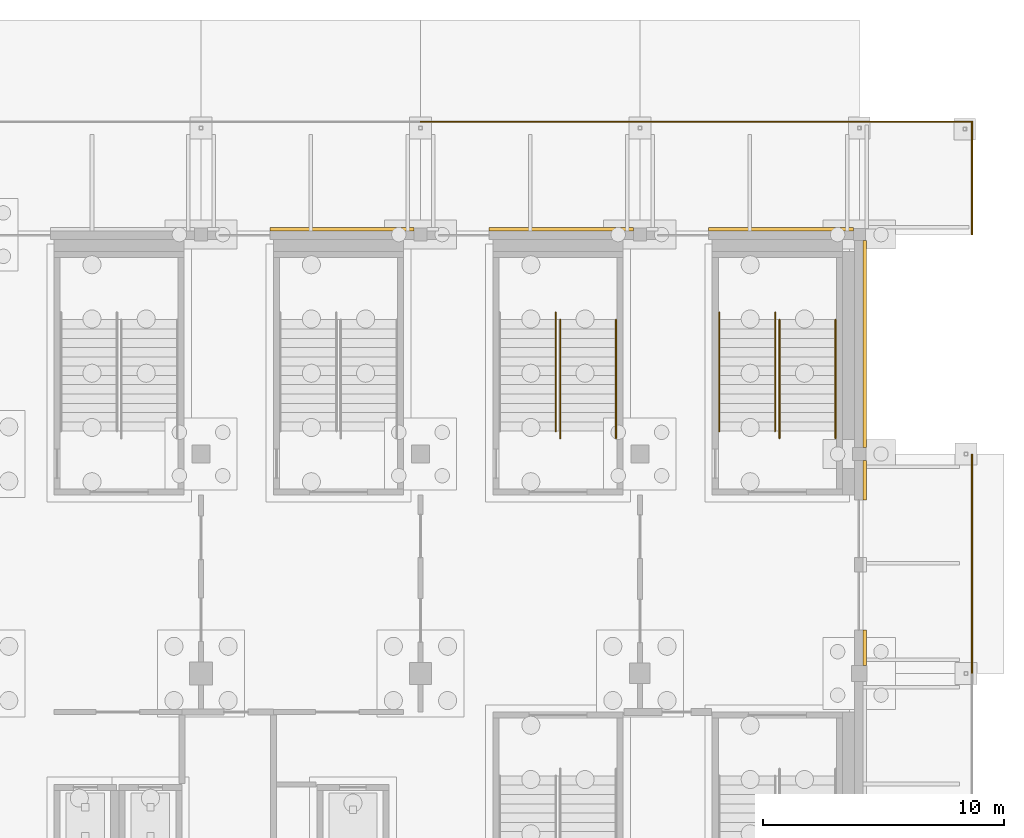
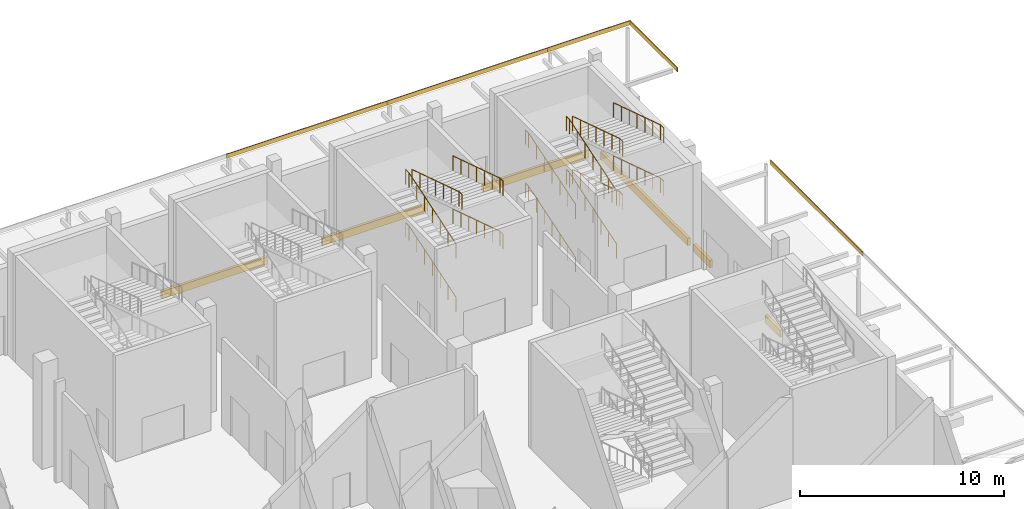
# One storey, part 121 of 129: 13 railings, 11 coverings.
"""IFC4 building model written with IfcOpenShell, lengths in metres."""

from ifc_helpers import new_model, si_unit, direction, frame, origin, origin_2d, place, context, subcontext, project, spatial, rectangle, circle, extrude, material, layer, layer_set, type_object, element, save


model = new_model("IFC4")

# Units and contexts
model_context = context("Model", 3, precision=1e-05, world=origin(), true_north=direction((0.0, 1.0)))
body_context = subcontext(model_context, "Body", "Model", "MODEL_VIEW")
ifc_project = project(units=[si_unit("LENGTHUNIT", "METRE"), si_unit("AREAUNIT", "SQUARE_METRE"), si_unit("VOLUMEUNIT", "CUBIC_METRE"), si_unit("PLANEANGLEUNIT", "RADIAN"), si_unit("MASSUNIT", "GRAM", prefix="KILO")], contexts=[model_context])

# Site, building, storey
site_placement = place(None, origin())
site = spatial("IfcSite", under=ifc_project, at=site_placement, CompositionType="ELEMENT")
building_placement = place(site_placement, origin())
building = spatial("IfcBuilding", under=site, at=building_placement, Name="Shirokan Park Arena", CompositionType="ELEMENT")
storey_placement = place(building_placement, origin())
storey = spatial("IfcBuildingStorey", under=building, at=storey_placement, Name="L00", CompositionType="ELEMENT", Elevation=0.0)

# Coverings
ifc_material_1 = material(Name="Timber fascia (cedar)", Category="wood")
ifc_layer_1 = layer(ifc_material_1, 0.050048828125)
ifc_layer_set_1 = layer_set([ifc_layer_1], Name="Timber fascia (cedar) 50 mm")
covering_type_1 = type_object("IfcCoveringType", Name="Canopy fascia 50x250", PredefinedType="CLADDING", material=ifc_layer_set_1)
for number, where, z_axis, x_axis, name in (
    (1, (150.27490234375, 95.550048828125, 3.5), (0.0, 0.0, 1.0), (0.0, 1.0, 0.0), "Canopy fascia east bay 11"),
    (2, (141.050048828125, 113.875, 3.5), (0.0, 0.0, 1.0), (-1.0, 0.0, 0.0), "Canopy fascia north bay 1"),
    (3, (131.949951171875, 113.875, 3.5), (0.0, 0.0, 1.0), (-1.0, 0.0, 0.0), "Canopy fascia north bay 2"),
):
    element("IfcCovering", number, at=place(storey_placement, frame(where, z_axis=z_axis, x_axis=x_axis)), inside=storey, type_object=covering_type_1, Name=name, PredefinedType="CLADDING", context=body_context, shape_type="SweptSolid", body=[
        extrude(rectangle(XDim=9.10009765625, YDim=0.050048828125, at=origin_2d()), origin(), (0.0, 0.0, 1.0), 0.25),
    ])
covering_1_placement = place(storey_placement, frame((147.949951171875, 113.875, 3.5), z_axis=(0.0, 0.0, 1.0), x_axis=(1.0, 0.0, 0.0)))
element("IfcCovering", 4, at=covering_1_placement, inside=storey, type_object=covering_type_1, Name="Canopy fascia NE corner 1", PredefinedType="CLADDING", context=body_context, shape_type="SweptSolid", body=[
    extrude(rectangle(XDim=4.699951171875, YDim=0.050048828125, at=origin_2d()), origin(), (0.0, 0.0, 1.0), 0.25),
])
covering_2_placement = place(storey_placement, frame((150.27490234375, 111.52490234375, 3.5), z_axis=(0.0, 0.0, 1.0), x_axis=(1.0, 0.0, 0.0)))
element("IfcCovering", 5, at=covering_2_placement, inside=storey, type_object=covering_type_1, Name="Canopy fascia NE corner 2", PredefinedType="CLADDING", context=body_context, shape_type="SweptSolid", body=[
    extrude(rectangle(XDim=0.050048828125, YDim=4.64990234375, at=origin_2d()), origin(), (0.0, 0.0, 1.0), 0.25),
])

# Railings
ifc_material_2 = material(Name="Stainless steel", Category="steel")
railing_type = type_object("IfcRailingType", Name="Stair handrail 900", PredefinedType="HANDRAIL", material=ifc_material_2)
railing_1_placement = place(storey_placement, frame((139.7900390625, 101.050048828125, 0.12255859375)))
element("IfcRailing", 6, at=railing_1_placement, inside=storey, type_object=railing_type, Name="Handrail Exit Stair 3.A L00 to L01", PredefinedType="HANDRAIL", context=body_context, shape_type="SweptSolid", body=[
    extrude(circle(Radius=0.02392578125, at=origin_2d()), frame((0.0, 0.0, 0.8759765625), z_axis=(0.0, 0.952929747917, 0.303191186441), x_axis=(-1.0, 0.0, 0.0)), (0.0, 0.0, 1.0), 1.6162109375),
    extrude(circle(Radius=0.02392578125, at=origin_2d()), frame((0.0, 1.5400390625, 1.36572265625), z_axis=(0.0, 0.952915858112, 0.303234838629), x_axis=(-1.0, 0.0, 0.0)), (0.0, 0.0, 1.0), 1.615966796875),
    extrude(circle(Radius=0.02392578125, at=origin_2d()), frame((0.0, 3.079833984375, 1.85595703125), z_axis=(0.0, 0.952929747917, 0.303191186441), x_axis=(-1.0, 0.0, 0.0)), (0.0, 0.0, 1.0), 1.6162109375),
    extrude(circle(Radius=0.02392578125, at=origin_2d()), frame((0.0, 4.619873046875, 2.345703125), z_axis=(0.0, 1.0, 0.0), x_axis=(-1.0, 0.0, 0.0)), (0.0, 0.0, 1.0), 0.300048828125),
    extrude(circle(Radius=0.02099609375, at=origin_2d()), origin(), (0.0, 0.0, 1.0), 0.851806640625),
    extrude(circle(Radius=0.02099609375, at=origin_2d()), frame((0.0, 0.77001953125, 0.2451171875)), (0.0, 0.0, 1.0), 0.851806640625),
    extrude(circle(Radius=0.02099609375, at=origin_2d()), frame((0.0, 1.5400390625, 0.489990234375)), (0.0, 0.0, 1.0), 0.851806640625),
    extrude(circle(Radius=0.02099609375, at=origin_2d()), frame((0.0, 2.31005859375, 0.73486328125)), (0.0, 0.0, 1.0), 0.851806640625),
    extrude(circle(Radius=0.02099609375, at=origin_2d()), frame((0.0, 3.079833984375, 0.97998046875)), (0.0, 0.0, 1.0), 0.851806640625),
    extrude(circle(Radius=0.02099609375, at=origin_2d()), frame((0.0, 3.849853515625, 1.22509765625)), (0.0, 0.0, 1.0), 0.851806640625),
    extrude(circle(Radius=0.02099609375, at=origin_2d()), frame((0.0, 4.619873046875, 1.469970703125)), (0.0, 0.0, 1.0), 0.851806640625),
    extrude(circle(Radius=0.02099609375, at=origin_2d()), frame((0.0, 4.919921875, 1.469970703125)), (0.0, 0.0, 1.0), 0.851806640625),
])
railing_2_placement = place(storey_placement, frame((142.110107421875, 101.050048828125, 0.12255859375)))
element("IfcRailing", 7, at=railing_2_placement, inside=storey, type_object=railing_type, Name="Handrail Exit Stair 3.A L00 to L01", PredefinedType="HANDRAIL", context=body_context, shape_type="SweptSolid", body=[
    extrude(circle(Radius=0.02392578125, at=origin_2d()), frame((0.0, 0.0, 0.8759765625), z_axis=(0.0, 0.952929747917, 0.303191186441), x_axis=(-1.0, 0.0, 0.0)), (0.0, 0.0, 1.0), 1.6162109375),
    extrude(circle(Radius=0.02392578125, at=origin_2d()), frame((0.0, 1.5400390625, 1.36572265625), z_axis=(0.0, 0.952915858112, 0.303234838629), x_axis=(-1.0, 0.0, 0.0)), (0.0, 0.0, 1.0), 1.615966796875),
    extrude(circle(Radius=0.02392578125, at=origin_2d()), frame((0.0, 3.079833984375, 1.85595703125), z_axis=(0.0, 0.952929747917, 0.303191186441), x_axis=(-1.0, 0.0, 0.0)), (0.0, 0.0, 1.0), 1.6162109375),
    extrude(circle(Radius=0.02392578125, at=origin_2d()), frame((0.0, 4.619873046875, 2.345703125), z_axis=(0.0, 1.0, 0.0), x_axis=(-1.0, 0.0, 0.0)), (0.0, 0.0, 1.0), 0.300048828125),
    extrude(circle(Radius=0.02099609375, at=origin_2d()), origin(), (0.0, 0.0, 1.0), 0.851806640625),
    extrude(circle(Radius=0.02099609375, at=origin_2d()), frame((0.0, 0.77001953125, 0.2451171875)), (0.0, 0.0, 1.0), 0.851806640625),
    extrude(circle(Radius=0.02099609375, at=origin_2d()), frame((0.0, 1.5400390625, 0.489990234375)), (0.0, 0.0, 1.0), 0.851806640625),
    extrude(circle(Radius=0.02099609375, at=origin_2d()), frame((0.0, 2.31005859375, 0.73486328125)), (0.0, 0.0, 1.0), 0.851806640625),
    extrude(circle(Radius=0.02099609375, at=origin_2d()), frame((0.0, 3.079833984375, 0.97998046875)), (0.0, 0.0, 1.0), 0.851806640625),
    extrude(circle(Radius=0.02099609375, at=origin_2d()), frame((0.0, 3.849853515625, 1.22509765625)), (0.0, 0.0, 1.0), 0.851806640625),
    extrude(circle(Radius=0.02099609375, at=origin_2d()), frame((0.0, 4.619873046875, 1.469970703125)), (0.0, 0.0, 1.0), 0.851806640625),
    extrude(circle(Radius=0.02099609375, at=origin_2d()), frame((0.0, 4.919921875, 1.469970703125)), (0.0, 0.0, 1.0), 0.851806640625),
])
railing_3_placement = place(storey_placement, frame((142.2900390625, 105.669921875, 1.715087890625)))
element("IfcRailing", 8, at=railing_3_placement, inside=storey, type_object=railing_type, Name="Handrail Exit Stair 3.A L00 to L01", PredefinedType="HANDRAIL", context=body_context, shape_type="SweptSolid", body=[
    extrude(circle(Radius=0.02392578125, at=origin_2d()), frame((0.0, 0.0, 0.8759765625), z_axis=(0.0, -0.952929747917, 0.303191186441), x_axis=(1.0, 0.0, 0.0)), (0.0, 0.0, 1.0), 1.6162109375),
    extrude(circle(Radius=0.02392578125, at=origin_2d()), frame((0.0, -1.5400390625, 1.36572265625), z_axis=(0.0, -0.952915858112, 0.303234838629), x_axis=(1.0, 0.0, 0.0)), (0.0, 0.0, 1.0), 1.615966796875),
    extrude(circle(Radius=0.02392578125, at=origin_2d()), frame((0.0, -3.079833984375, 1.85595703125), z_axis=(0.0, -0.952929747917, 0.303191186441), x_axis=(1.0, 0.0, 0.0)), (0.0, 0.0, 1.0), 1.6162109375),
    extrude(circle(Radius=0.02392578125, at=origin_2d()), frame((0.0, -4.619873046875, 2.345703125), z_axis=(0.0, -1.0, 0.0), x_axis=(1.0, 0.0, 0.0)), (0.0, 0.0, 1.0), 0.300048828125),
    extrude(circle(Radius=0.02099609375, at=origin_2d()), origin(), (0.0, 0.0, 1.0), 0.851806640625),
    extrude(circle(Radius=0.02099609375, at=origin_2d()), frame((0.0, -0.77001953125, 0.2451171875)), (0.0, 0.0, 1.0), 0.851806640625),
    extrude(circle(Radius=0.02099609375, at=origin_2d()), frame((0.0, -1.5400390625, 0.489990234375)), (0.0, 0.0, 1.0), 0.851806640625),
    extrude(circle(Radius=0.02099609375, at=origin_2d()), frame((0.0, -2.31005859375, 0.73486328125)), (0.0, 0.0, 1.0), 0.851806640625),
    extrude(circle(Radius=0.02099609375, at=origin_2d()), frame((0.0, -3.079833984375, 0.97998046875)), (0.0, 0.0, 1.0), 0.851806640625),
    extrude(circle(Radius=0.02099609375, at=origin_2d()), frame((0.0, -3.849853515625, 1.22509765625)), (0.0, 0.0, 1.0), 0.851806640625),
    extrude(circle(Radius=0.02099609375, at=origin_2d()), frame((0.0, -4.619873046875, 1.469970703125)), (0.0, 0.0, 1.0), 0.851806640625),
    extrude(circle(Radius=0.02099609375, at=origin_2d()), frame((0.0, -4.919921875, 1.469970703125)), (0.0, 0.0, 1.0), 0.851806640625),
])
railing_4_placement = place(storey_placement, frame((144.610107421875, 105.669921875, 1.715087890625)))
element("IfcRailing", 9, at=railing_4_placement, inside=storey, type_object=railing_type, Name="Handrail Exit Stair 3.A L00 to L01", PredefinedType="HANDRAIL", context=body_context, shape_type="SweptSolid", body=[
    extrude(circle(Radius=0.02392578125, at=origin_2d()), frame((0.0, 0.0, 0.8759765625), z_axis=(0.0, -0.952929747917, 0.303191186441), x_axis=(1.0, 0.0, 0.0)), (0.0, 0.0, 1.0), 1.6162109375),
    extrude(circle(Radius=0.02392578125, at=origin_2d()), frame((0.0, -1.5400390625, 1.36572265625), z_axis=(0.0, -0.952915858112, 0.303234838629), x_axis=(1.0, 0.0, 0.0)), (0.0, 0.0, 1.0), 1.615966796875),
    extrude(circle(Radius=0.02392578125, at=origin_2d()), frame((0.0, -3.079833984375, 1.85595703125), z_axis=(0.0, -0.952929747917, 0.303191186441), x_axis=(1.0, 0.0, 0.0)), (0.0, 0.0, 1.0), 1.6162109375),
    extrude(circle(Radius=0.02392578125, at=origin_2d()), frame((0.0, -4.619873046875, 2.345703125), z_axis=(0.0, -1.0, 0.0), x_axis=(1.0, 0.0, 0.0)), (0.0, 0.0, 1.0), 0.300048828125),
    extrude(circle(Radius=0.02099609375, at=origin_2d()), origin(), (0.0, 0.0, 1.0), 0.851806640625),
    extrude(circle(Radius=0.02099609375, at=origin_2d()), frame((0.0, -0.77001953125, 0.2451171875)), (0.0, 0.0, 1.0), 0.851806640625),
    extrude(circle(Radius=0.02099609375, at=origin_2d()), frame((0.0, -1.5400390625, 0.489990234375)), (0.0, 0.0, 1.0), 0.851806640625),
    extrude(circle(Radius=0.02099609375, at=origin_2d()), frame((0.0, -2.31005859375, 0.73486328125)), (0.0, 0.0, 1.0), 0.851806640625),
    extrude(circle(Radius=0.02099609375, at=origin_2d()), frame((0.0, -3.079833984375, 0.97998046875)), (0.0, 0.0, 1.0), 0.851806640625),
    extrude(circle(Radius=0.02099609375, at=origin_2d()), frame((0.0, -3.849853515625, 1.22509765625)), (0.0, 0.0, 1.0), 0.851806640625),
    extrude(circle(Radius=0.02099609375, at=origin_2d()), frame((0.0, -4.619873046875, 1.469970703125)), (0.0, 0.0, 1.0), 0.851806640625),
    extrude(circle(Radius=0.02099609375, at=origin_2d()), frame((0.0, -4.919921875, 1.469970703125)), (0.0, 0.0, 1.0), 0.851806640625),
])
railing_5_placement = place(storey_placement, frame((139.7900390625, 101.050048828125, 3.3076171875)))
element("IfcRailing", 10, at=railing_5_placement, inside=storey, type_object=railing_type, Name="Handrail Exit Stair 3.A L00 to L01", PredefinedType="HANDRAIL", context=body_context, shape_type="SweptSolid", body=[
    extrude(circle(Radius=0.02392578125, at=origin_2d()), frame((0.0, 0.0, 0.8759765625), z_axis=(0.0, 0.952929747917, 0.303191186441), x_axis=(-1.0, 0.0, 0.0)), (0.0, 0.0, 1.0), 1.6162109375),
    extrude(circle(Radius=0.02392578125, at=origin_2d()), frame((0.0, 1.5400390625, 1.36572265625), z_axis=(0.0, 0.952915858112, 0.303234838629), x_axis=(-1.0, 0.0, 0.0)), (0.0, 0.0, 1.0), 1.615966796875),
    extrude(circle(Radius=0.02392578125, at=origin_2d()), frame((0.0, 3.079833984375, 1.85595703125), z_axis=(0.0, 0.952929747917, 0.303191186441), x_axis=(-1.0, 0.0, 0.0)), (0.0, 0.0, 1.0), 1.6162109375),
    extrude(circle(Radius=0.02392578125, at=origin_2d()), frame((0.0, 4.619873046875, 2.345703125), z_axis=(0.0, 1.0, 0.0), x_axis=(-1.0, 0.0, 0.0)), (0.0, 0.0, 1.0), 0.300048828125),
    extrude(circle(Radius=0.02099609375, at=origin_2d()), origin(), (0.0, 0.0, 1.0), 0.851806640625),
    extrude(circle(Radius=0.02099609375, at=origin_2d()), frame((0.0, 0.77001953125, 0.2451171875)), (0.0, 0.0, 1.0), 0.851806640625),
    extrude(circle(Radius=0.02099609375, at=origin_2d()), frame((0.0, 1.5400390625, 0.489990234375)), (0.0, 0.0, 1.0), 0.851806640625),
    extrude(circle(Radius=0.02099609375, at=origin_2d()), frame((0.0, 2.31005859375, 0.73486328125)), (0.0, 0.0, 1.0), 0.851806640625),
    extrude(circle(Radius=0.02099609375, at=origin_2d()), frame((0.0, 3.079833984375, 0.97998046875)), (0.0, 0.0, 1.0), 0.851806640625),
    extrude(circle(Radius=0.02099609375, at=origin_2d()), frame((0.0, 3.849853515625, 1.22509765625)), (0.0, 0.0, 1.0), 0.851806640625),
    extrude(circle(Radius=0.02099609375, at=origin_2d()), frame((0.0, 4.619873046875, 1.469970703125)), (0.0, 0.0, 1.0), 0.851806640625),
    extrude(circle(Radius=0.02099609375, at=origin_2d()), frame((0.0, 4.919921875, 1.469970703125)), (0.0, 0.0, 1.0), 0.851806640625),
])
railing_6_placement = place(storey_placement, frame((142.110107421875, 101.050048828125, 3.3076171875)))
element("IfcRailing", 11, at=railing_6_placement, inside=storey, type_object=railing_type, Name="Handrail Exit Stair 3.A L00 to L01", PredefinedType="HANDRAIL", context=body_context, shape_type="SweptSolid", body=[
    extrude(circle(Radius=0.02392578125, at=origin_2d()), frame((0.0, 0.0, 0.8759765625), z_axis=(0.0, 0.952929747917, 0.303191186441), x_axis=(-1.0, 0.0, 0.0)), (0.0, 0.0, 1.0), 1.6162109375),
    extrude(circle(Radius=0.02392578125, at=origin_2d()), frame((0.0, 1.5400390625, 1.36572265625), z_axis=(0.0, 0.952915858112, 0.303234838629), x_axis=(-1.0, 0.0, 0.0)), (0.0, 0.0, 1.0), 1.615966796875),
    extrude(circle(Radius=0.02392578125, at=origin_2d()), frame((0.0, 3.079833984375, 1.85595703125), z_axis=(0.0, 0.952929747917, 0.303191186441), x_axis=(-1.0, 0.0, 0.0)), (0.0, 0.0, 1.0), 1.6162109375),
    extrude(circle(Radius=0.02392578125, at=origin_2d()), frame((0.0, 4.619873046875, 2.345703125), z_axis=(0.0, 1.0, 0.0), x_axis=(-1.0, 0.0, 0.0)), (0.0, 0.0, 1.0), 0.300048828125),
    extrude(circle(Radius=0.02099609375, at=origin_2d()), origin(), (0.0, 0.0, 1.0), 0.851806640625),
    extrude(circle(Radius=0.02099609375, at=origin_2d()), frame((0.0, 0.77001953125, 0.2451171875)), (0.0, 0.0, 1.0), 0.851806640625),
    extrude(circle(Radius=0.02099609375, at=origin_2d()), frame((0.0, 1.5400390625, 0.489990234375)), (0.0, 0.0, 1.0), 0.851806640625),
    extrude(circle(Radius=0.02099609375, at=origin_2d()), frame((0.0, 2.31005859375, 0.73486328125)), (0.0, 0.0, 1.0), 0.851806640625),
    extrude(circle(Radius=0.02099609375, at=origin_2d()), frame((0.0, 3.079833984375, 0.97998046875)), (0.0, 0.0, 1.0), 0.851806640625),
    extrude(circle(Radius=0.02099609375, at=origin_2d()), frame((0.0, 3.849853515625, 1.22509765625)), (0.0, 0.0, 1.0), 0.851806640625),
    extrude(circle(Radius=0.02099609375, at=origin_2d()), frame((0.0, 4.619873046875, 1.469970703125)), (0.0, 0.0, 1.0), 0.851806640625),
    extrude(circle(Radius=0.02099609375, at=origin_2d()), frame((0.0, 4.919921875, 1.469970703125)), (0.0, 0.0, 1.0), 0.851806640625),
])
railing_7_placement = place(storey_placement, frame((142.2900390625, 105.669921875, 4.89990234375)))
element("IfcRailing", 12, at=railing_7_placement, inside=storey, type_object=railing_type, Name="Handrail Exit Stair 3.A L00 to L01", PredefinedType="HANDRAIL", context=body_context, shape_type="SweptSolid", body=[
    extrude(circle(Radius=0.02392578125, at=origin_2d()), frame((0.0, 0.0, 0.8759765625), z_axis=(0.0, -0.952929747917, 0.303191186441), x_axis=(1.0, 0.0, 0.0)), (0.0, 0.0, 1.0), 1.6162109375),
    extrude(circle(Radius=0.02392578125, at=origin_2d()), frame((0.0, -1.5400390625, 1.36572265625), z_axis=(0.0, -0.952915858112, 0.303234838629), x_axis=(1.0, 0.0, 0.0)), (0.0, 0.0, 1.0), 1.615966796875),
    extrude(circle(Radius=0.02392578125, at=origin_2d()), frame((0.0, -3.079833984375, 1.85595703125), z_axis=(0.0, -0.952886093821, 0.303328357069), x_axis=(1.0, 0.0, 0.0)), (0.0, 0.0, 1.0), 1.6162109375),
    extrude(circle(Radius=0.02392578125, at=origin_2d()), frame((0.0, -4.619873046875, 2.34619140625), z_axis=(0.0, -1.0, 0.0), x_axis=(1.0, 0.0, 0.0)), (0.0, 0.0, 1.0), 0.300048828125),
    extrude(circle(Radius=0.02099609375, at=origin_2d()), origin(), (0.0, 0.0, 1.0), 0.851806640625),
    extrude(circle(Radius=0.02099609375, at=origin_2d()), frame((0.0, -0.77001953125, 0.2451171875)), (0.0, 0.0, 1.0), 0.851806640625),
    extrude(circle(Radius=0.02099609375, at=origin_2d()), frame((0.0, -1.5400390625, 0.489990234375)), (0.0, 0.0, 1.0), 0.851806640625),
    extrude(circle(Radius=0.02099609375, at=origin_2d()), frame((0.0, -2.31005859375, 0.73486328125)), (0.0, 0.0, 1.0), 0.851806640625),
    extrude(circle(Radius=0.02099609375, at=origin_2d()), frame((0.0, -3.079833984375, 0.97998046875)), (0.0, 0.0, 1.0), 0.851806640625),
    extrude(circle(Radius=0.02099609375, at=origin_2d()), frame((0.0, -3.849853515625, 1.22509765625)), (0.0, 0.0, 1.0), 0.851806640625),
    extrude(circle(Radius=0.02099609375, at=origin_2d()), frame((0.0, -4.619873046875, 1.47021484375)), (0.0, 0.0, 1.0), 0.851806640625),
    extrude(circle(Radius=0.02099609375, at=origin_2d()), frame((0.0, -4.919921875, 1.47021484375)), (0.0, 0.0, 1.0), 0.851806640625),
])
railing_8_placement = place(storey_placement, frame((144.610107421875, 105.669921875, 4.89990234375)))
element("IfcRailing", 13, at=railing_8_placement, inside=storey, type_object=railing_type, Name="Handrail Exit Stair 3.A L00 to L01", PredefinedType="HANDRAIL", context=body_context, shape_type="SweptSolid", body=[
    extrude(circle(Radius=0.02392578125, at=origin_2d()), frame((0.0, 0.0, 0.8759765625), z_axis=(0.0, -0.952929747917, 0.303191186441), x_axis=(1.0, 0.0, 0.0)), (0.0, 0.0, 1.0), 1.6162109375),
    extrude(circle(Radius=0.02392578125, at=origin_2d()), frame((0.0, -1.5400390625, 1.36572265625), z_axis=(0.0, -0.952915858112, 0.303234838629), x_axis=(1.0, 0.0, 0.0)), (0.0, 0.0, 1.0), 1.615966796875),
    extrude(circle(Radius=0.02392578125, at=origin_2d()), frame((0.0, -3.079833984375, 1.85595703125), z_axis=(0.0, -0.952886093821, 0.303328357069), x_axis=(1.0, 0.0, 0.0)), (0.0, 0.0, 1.0), 1.6162109375),
    extrude(circle(Radius=0.02392578125, at=origin_2d()), frame((0.0, -4.619873046875, 2.34619140625), z_axis=(0.0, -1.0, 0.0), x_axis=(1.0, 0.0, 0.0)), (0.0, 0.0, 1.0), 0.300048828125),
    extrude(circle(Radius=0.02099609375, at=origin_2d()), origin(), (0.0, 0.0, 1.0), 0.851806640625),
    extrude(circle(Radius=0.02099609375, at=origin_2d()), frame((0.0, -0.77001953125, 0.2451171875)), (0.0, 0.0, 1.0), 0.851806640625),
    extrude(circle(Radius=0.02099609375, at=origin_2d()), frame((0.0, -1.5400390625, 0.489990234375)), (0.0, 0.0, 1.0), 0.851806640625),
    extrude(circle(Radius=0.02099609375, at=origin_2d()), frame((0.0, -2.31005859375, 0.73486328125)), (0.0, 0.0, 1.0), 0.851806640625),
    extrude(circle(Radius=0.02099609375, at=origin_2d()), frame((0.0, -3.079833984375, 0.97998046875)), (0.0, 0.0, 1.0), 0.851806640625),
    extrude(circle(Radius=0.02099609375, at=origin_2d()), frame((0.0, -3.849853515625, 1.22509765625)), (0.0, 0.0, 1.0), 0.851806640625),
    extrude(circle(Radius=0.02099609375, at=origin_2d()), frame((0.0, -4.619873046875, 1.47021484375)), (0.0, 0.0, 1.0), 0.851806640625),
    extrude(circle(Radius=0.02099609375, at=origin_2d()), frame((0.0, -4.919921875, 1.47021484375)), (0.0, 0.0, 1.0), 0.851806640625),
])
railing_9_placement = place(storey_placement, frame((133.010009765625, 101.050048828125, 0.12255859375)))
element("IfcRailing", 14, at=railing_9_placement, inside=storey, type_object=railing_type, Name="Handrail Exit Stair 3.B L00 to L01", PredefinedType="HANDRAIL", context=body_context, shape_type="SweptSolid", body=[
    extrude(circle(Radius=0.02392578125, at=origin_2d()), frame((0.0, 0.0, 0.8759765625), z_axis=(0.0, 0.952929747917, 0.303191186441), x_axis=(-1.0, 0.0, 0.0)), (0.0, 0.0, 1.0), 1.6162109375),
    extrude(circle(Radius=0.02392578125, at=origin_2d()), frame((0.0, 1.5400390625, 1.36572265625), z_axis=(0.0, 0.952915858112, 0.303234838629), x_axis=(-1.0, 0.0, 0.0)), (0.0, 0.0, 1.0), 1.615966796875),
    extrude(circle(Radius=0.02392578125, at=origin_2d()), frame((0.0, 3.079833984375, 1.85595703125), z_axis=(0.0, 0.952929747917, 0.303191186441), x_axis=(-1.0, 0.0, 0.0)), (0.0, 0.0, 1.0), 1.6162109375),
    extrude(circle(Radius=0.02392578125, at=origin_2d()), frame((0.0, 4.619873046875, 2.345703125), z_axis=(0.0, 1.0, 0.0), x_axis=(-1.0, 0.0, 0.0)), (0.0, 0.0, 1.0), 0.300048828125),
    extrude(circle(Radius=0.02099609375, at=origin_2d()), origin(), (0.0, 0.0, 1.0), 0.851806640625),
    extrude(circle(Radius=0.02099609375, at=origin_2d()), frame((0.0, 0.77001953125, 0.2451171875)), (0.0, 0.0, 1.0), 0.851806640625),
    extrude(circle(Radius=0.02099609375, at=origin_2d()), frame((0.0, 1.5400390625, 0.489990234375)), (0.0, 0.0, 1.0), 0.851806640625),
    extrude(circle(Radius=0.02099609375, at=origin_2d()), frame((0.0, 2.31005859375, 0.73486328125)), (0.0, 0.0, 1.0), 0.851806640625),
    extrude(circle(Radius=0.02099609375, at=origin_2d()), frame((0.0, 3.079833984375, 0.97998046875)), (0.0, 0.0, 1.0), 0.851806640625),
    extrude(circle(Radius=0.02099609375, at=origin_2d()), frame((0.0, 3.849853515625, 1.22509765625)), (0.0, 0.0, 1.0), 0.851806640625),
    extrude(circle(Radius=0.02099609375, at=origin_2d()), frame((0.0, 4.619873046875, 1.469970703125)), (0.0, 0.0, 1.0), 0.851806640625),
    extrude(circle(Radius=0.02099609375, at=origin_2d()), frame((0.0, 4.919921875, 1.469970703125)), (0.0, 0.0, 1.0), 0.851806640625),
])
railing_10_placement = place(storey_placement, frame((135.510009765625, 105.669921875, 1.715087890625)))
element("IfcRailing", 15, at=railing_10_placement, inside=storey, type_object=railing_type, Name="Handrail Exit Stair 3.B L00 to L01", PredefinedType="HANDRAIL", context=body_context, shape_type="SweptSolid", body=[
    extrude(circle(Radius=0.02392578125, at=origin_2d()), frame((0.0, 0.0, 0.8759765625), z_axis=(0.0, -0.952929747917, 0.303191186441), x_axis=(1.0, 0.0, 0.0)), (0.0, 0.0, 1.0), 1.6162109375),
    extrude(circle(Radius=0.02392578125, at=origin_2d()), frame((0.0, -1.5400390625, 1.36572265625), z_axis=(0.0, -0.952915858112, 0.303234838629), x_axis=(1.0, 0.0, 0.0)), (0.0, 0.0, 1.0), 1.615966796875),
    extrude(circle(Radius=0.02392578125, at=origin_2d()), frame((0.0, -3.079833984375, 1.85595703125), z_axis=(0.0, -0.952929747917, 0.303191186441), x_axis=(1.0, 0.0, 0.0)), (0.0, 0.0, 1.0), 1.6162109375),
    extrude(circle(Radius=0.02392578125, at=origin_2d()), frame((0.0, -4.619873046875, 2.345703125), z_axis=(0.0, -1.0, 0.0), x_axis=(1.0, 0.0, 0.0)), (0.0, 0.0, 1.0), 0.300048828125),
    extrude(circle(Radius=0.02099609375, at=origin_2d()), origin(), (0.0, 0.0, 1.0), 0.851806640625),
    extrude(circle(Radius=0.02099609375, at=origin_2d()), frame((0.0, -0.77001953125, 0.2451171875)), (0.0, 0.0, 1.0), 0.851806640625),
    extrude(circle(Radius=0.02099609375, at=origin_2d()), frame((0.0, -1.5400390625, 0.489990234375)), (0.0, 0.0, 1.0), 0.851806640625),
    extrude(circle(Radius=0.02099609375, at=origin_2d()), frame((0.0, -2.31005859375, 0.73486328125)), (0.0, 0.0, 1.0), 0.851806640625),
    extrude(circle(Radius=0.02099609375, at=origin_2d()), frame((0.0, -3.079833984375, 0.97998046875)), (0.0, 0.0, 1.0), 0.851806640625),
    extrude(circle(Radius=0.02099609375, at=origin_2d()), frame((0.0, -3.849853515625, 1.22509765625)), (0.0, 0.0, 1.0), 0.851806640625),
    extrude(circle(Radius=0.02099609375, at=origin_2d()), frame((0.0, -4.619873046875, 1.469970703125)), (0.0, 0.0, 1.0), 0.851806640625),
    extrude(circle(Radius=0.02099609375, at=origin_2d()), frame((0.0, -4.919921875, 1.469970703125)), (0.0, 0.0, 1.0), 0.851806640625),
])
railing_11_placement = place(storey_placement, frame((133.010009765625, 101.050048828125, 3.3076171875)))
element("IfcRailing", 16, at=railing_11_placement, inside=storey, type_object=railing_type, Name="Handrail Exit Stair 3.B L00 to L01", PredefinedType="HANDRAIL", context=body_context, shape_type="SweptSolid", body=[
    extrude(circle(Radius=0.02392578125, at=origin_2d()), frame((0.0, 0.0, 0.8759765625), z_axis=(0.0, 0.952929747917, 0.303191186441), x_axis=(-1.0, 0.0, 0.0)), (0.0, 0.0, 1.0), 1.6162109375),
    extrude(circle(Radius=0.02392578125, at=origin_2d()), frame((0.0, 1.5400390625, 1.36572265625), z_axis=(0.0, 0.952915858112, 0.303234838629), x_axis=(-1.0, 0.0, 0.0)), (0.0, 0.0, 1.0), 1.615966796875),
    extrude(circle(Radius=0.02392578125, at=origin_2d()), frame((0.0, 3.079833984375, 1.85595703125), z_axis=(0.0, 0.952929747917, 0.303191186441), x_axis=(-1.0, 0.0, 0.0)), (0.0, 0.0, 1.0), 1.6162109375),
    extrude(circle(Radius=0.02392578125, at=origin_2d()), frame((0.0, 4.619873046875, 2.345703125), z_axis=(0.0, 1.0, 0.0), x_axis=(-1.0, 0.0, 0.0)), (0.0, 0.0, 1.0), 0.300048828125),
    extrude(circle(Radius=0.02099609375, at=origin_2d()), origin(), (0.0, 0.0, 1.0), 0.851806640625),
    extrude(circle(Radius=0.02099609375, at=origin_2d()), frame((0.0, 0.77001953125, 0.2451171875)), (0.0, 0.0, 1.0), 0.851806640625),
    extrude(circle(Radius=0.02099609375, at=origin_2d()), frame((0.0, 1.5400390625, 0.489990234375)), (0.0, 0.0, 1.0), 0.851806640625),
    extrude(circle(Radius=0.02099609375, at=origin_2d()), frame((0.0, 2.31005859375, 0.73486328125)), (0.0, 0.0, 1.0), 0.851806640625),
    extrude(circle(Radius=0.02099609375, at=origin_2d()), frame((0.0, 3.079833984375, 0.97998046875)), (0.0, 0.0, 1.0), 0.851806640625),
    extrude(circle(Radius=0.02099609375, at=origin_2d()), frame((0.0, 3.849853515625, 1.22509765625)), (0.0, 0.0, 1.0), 0.851806640625),
    extrude(circle(Radius=0.02099609375, at=origin_2d()), frame((0.0, 4.619873046875, 1.469970703125)), (0.0, 0.0, 1.0), 0.851806640625),
    extrude(circle(Radius=0.02099609375, at=origin_2d()), frame((0.0, 4.919921875, 1.469970703125)), (0.0, 0.0, 1.0), 0.851806640625),
])
railing_12_placement = place(storey_placement, frame((133.18994140625, 105.669921875, 4.89990234375)))
element("IfcRailing", 17, at=railing_12_placement, inside=storey, type_object=railing_type, Name="Handrail Exit Stair 3.B L00 to L01", PredefinedType="HANDRAIL", context=body_context, shape_type="SweptSolid", body=[
    extrude(circle(Radius=0.02392578125, at=origin_2d()), frame((0.0, 0.0, 0.8759765625), z_axis=(0.0, -0.952929747917, 0.303191186441), x_axis=(1.0, 0.0, 0.0)), (0.0, 0.0, 1.0), 1.6162109375),
    extrude(circle(Radius=0.02392578125, at=origin_2d()), frame((0.0, -1.5400390625, 1.36572265625), z_axis=(0.0, -0.952915858112, 0.303234838629), x_axis=(1.0, 0.0, 0.0)), (0.0, 0.0, 1.0), 1.615966796875),
    extrude(circle(Radius=0.02392578125, at=origin_2d()), frame((0.0, -3.079833984375, 1.85595703125), z_axis=(0.0, -0.952886093821, 0.303328357069), x_axis=(1.0, 0.0, 0.0)), (0.0, 0.0, 1.0), 1.6162109375),
    extrude(circle(Radius=0.02392578125, at=origin_2d()), frame((0.0, -4.619873046875, 2.34619140625), z_axis=(0.0, -1.0, 0.0), x_axis=(1.0, 0.0, 0.0)), (0.0, 0.0, 1.0), 0.300048828125),
    extrude(circle(Radius=0.02099609375, at=origin_2d()), origin(), (0.0, 0.0, 1.0), 0.851806640625),
    extrude(circle(Radius=0.02099609375, at=origin_2d()), frame((0.0, -0.77001953125, 0.2451171875)), (0.0, 0.0, 1.0), 0.851806640625),
    extrude(circle(Radius=0.02099609375, at=origin_2d()), frame((0.0, -1.5400390625, 0.489990234375)), (0.0, 0.0, 1.0), 0.851806640625),
    extrude(circle(Radius=0.02099609375, at=origin_2d()), frame((0.0, -2.31005859375, 0.73486328125)), (0.0, 0.0, 1.0), 0.851806640625),
    extrude(circle(Radius=0.02099609375, at=origin_2d()), frame((0.0, -3.079833984375, 0.97998046875)), (0.0, 0.0, 1.0), 0.851806640625),
    extrude(circle(Radius=0.02099609375, at=origin_2d()), frame((0.0, -3.849853515625, 1.22509765625)), (0.0, 0.0, 1.0), 0.851806640625),
    extrude(circle(Radius=0.02099609375, at=origin_2d()), frame((0.0, -4.619873046875, 1.47021484375)), (0.0, 0.0, 1.0), 0.851806640625),
    extrude(circle(Radius=0.02099609375, at=origin_2d()), frame((0.0, -4.919921875, 1.47021484375)), (0.0, 0.0, 1.0), 0.851806640625),
])
railing_13_placement = place(storey_placement, frame((135.510009765625, 105.669921875, 4.89990234375)))
element("IfcRailing", 18, at=railing_13_placement, inside=storey, type_object=railing_type, Name="Handrail Exit Stair 3.B L00 to L01", PredefinedType="HANDRAIL", context=body_context, shape_type="SweptSolid", body=[
    extrude(circle(Radius=0.02392578125, at=origin_2d()), frame((0.0, 0.0, 0.8759765625), z_axis=(0.0, -0.952929747917, 0.303191186441), x_axis=(1.0, 0.0, 0.0)), (0.0, 0.0, 1.0), 1.6162109375),
    extrude(circle(Radius=0.02392578125, at=origin_2d()), frame((0.0, -1.5400390625, 1.36572265625), z_axis=(0.0, -0.952915858112, 0.303234838629), x_axis=(1.0, 0.0, 0.0)), (0.0, 0.0, 1.0), 1.615966796875),
    extrude(circle(Radius=0.02392578125, at=origin_2d()), frame((0.0, -3.079833984375, 1.85595703125), z_axis=(0.0, -0.952886093821, 0.303328357069), x_axis=(1.0, 0.0, 0.0)), (0.0, 0.0, 1.0), 1.6162109375),
    extrude(circle(Radius=0.02392578125, at=origin_2d()), frame((0.0, -4.619873046875, 2.34619140625), z_axis=(0.0, -1.0, 0.0), x_axis=(1.0, 0.0, 0.0)), (0.0, 0.0, 1.0), 0.300048828125),
    extrude(circle(Radius=0.02099609375, at=origin_2d()), origin(), (0.0, 0.0, 1.0), 0.851806640625),
    extrude(circle(Radius=0.02099609375, at=origin_2d()), frame((0.0, -0.77001953125, 0.2451171875)), (0.0, 0.0, 1.0), 0.851806640625),
    extrude(circle(Radius=0.02099609375, at=origin_2d()), frame((0.0, -1.5400390625, 0.489990234375)), (0.0, 0.0, 1.0), 0.851806640625),
    extrude(circle(Radius=0.02099609375, at=origin_2d()), frame((0.0, -2.31005859375, 0.73486328125)), (0.0, 0.0, 1.0), 0.851806640625),
    extrude(circle(Radius=0.02099609375, at=origin_2d()), frame((0.0, -3.079833984375, 0.97998046875)), (0.0, 0.0, 1.0), 0.851806640625),
    extrude(circle(Radius=0.02099609375, at=origin_2d()), frame((0.0, -3.849853515625, 1.22509765625)), (0.0, 0.0, 1.0), 0.851806640625),
    extrude(circle(Radius=0.02099609375, at=origin_2d()), frame((0.0, -4.619873046875, 1.47021484375)), (0.0, 0.0, 1.0), 0.851806640625),
    extrude(circle(Radius=0.02099609375, at=origin_2d()), frame((0.0, -4.919921875, 1.47021484375)), (0.0, 0.0, 1.0), 0.851806640625),
])

# Coverings
ifc_material_3 = material(Name="Natural stone", Category="masonry")
ifc_layer_2 = layer(ifc_material_3, 0.14990234375)
ifc_layer_set_2 = layer_set([ifc_layer_2], Name="Natural stone 150 mm")
covering_type_2 = type_object("IfcCoveringType", Name="Stone plinth 150x450", PredefinedType="CLADDING", material=ifc_layer_set_2)
covering_3_placement = place(storey_placement, frame((145.824951171875, 92.0625, 0.0), z_axis=(0.0, 0.0, 1.0), x_axis=(0.0, 1.0, 0.0)))
element("IfcCovering", 19, at=covering_3_placement, inside=storey, type_object=covering_type_2, Name="Stone plinth east bay 11", PredefinedType="CLADDING", context=body_context, shape_type="SweptSolid", body=[
    extrude(rectangle(XDim=1.47509765625, YDim=0.14990234375, at=origin_2d()), origin(), (0.0, 0.0, 1.0), 0.449951171875),
])
covering_4_placement = place(storey_placement, frame((145.824951171875, 99.012451171875, 0.0), z_axis=(0.0, 0.0, 1.0), x_axis=(0.0, 1.0, 0.0)))
element("IfcCovering", 20, at=covering_4_placement, inside=storey, type_object=covering_type_2, Name="Stone plinth east bay 11", PredefinedType="CLADDING", context=body_context, shape_type="SweptSolid", body=[
    extrude(rectangle(XDim=1.625, YDim=0.14990234375, at=origin_2d()), origin(), (0.0, 0.0, 1.0), 0.449951171875),
])
covering_5_placement = place(storey_placement, frame((145.824951171875, 104.66259765625, 0.0), z_axis=(0.0, 0.0, 1.0), x_axis=(0.0, 1.0, 0.0)))
element("IfcCovering", 21, at=covering_5_placement, inside=storey, type_object=covering_type_2, Name="Stone plinth east bay 12", PredefinedType="CLADDING", context=body_context, shape_type="SweptSolid", body=[
    extrude(rectangle(XDim=8.574951171875, YDim=0.14990234375, at=origin_2d()), origin(), (0.0, 0.0, 1.0), 0.449951171875),
])
covering_6_placement = place(storey_placement, frame((142.35009765625, 109.425048828125, 0.0), z_axis=(0.0, 0.0, 1.0), x_axis=(-1.0, 0.0, 0.0)))
element("IfcCovering", 22, at=covering_6_placement, inside=storey, type_object=covering_type_2, Name="Stone plinth north bay 1", PredefinedType="CLADDING", context=body_context, shape_type="SweptSolid", body=[
    extrude(rectangle(XDim=6.0, YDim=0.14990234375, at=origin_2d()), origin(), (0.0, 0.0, 1.0), 0.449951171875),
])
for number, where, z_axis, x_axis, name in (
    (23, (133.237548828125, 109.425048828125, 0.0), (0.0, 0.0, 1.0), (-1.0, 0.0, 0.0), "Stone plinth north bay 2"),
    (24, (124.137451171875, 109.425048828125, 0.0), (0.0, 0.0, 1.0), (-1.0, 0.0, 0.0), "Stone plinth north bay 3"),
):
    element("IfcCovering", number, at=place(storey_placement, frame(where, z_axis=z_axis, x_axis=x_axis)), inside=storey, type_object=covering_type_2, Name=name, PredefinedType="CLADDING", context=body_context, shape_type="SweptSolid", body=[
        extrude(rectangle(XDim=5.97509765625, YDim=0.14990234375, at=origin_2d()), origin(), (0.0, 0.0, 1.0), 0.449951171875),
    ])

save(model, "model.ifc")
